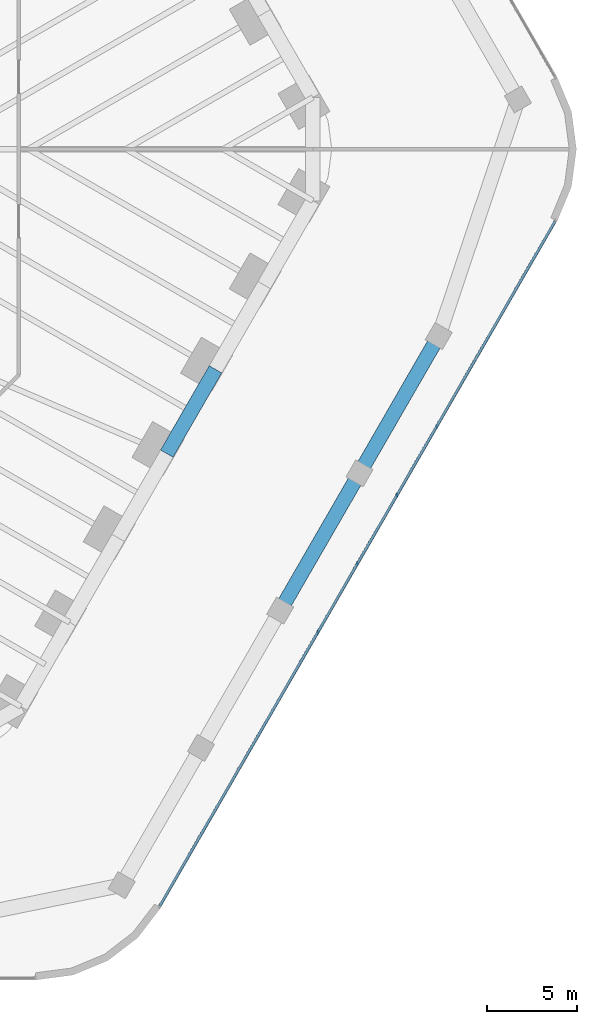
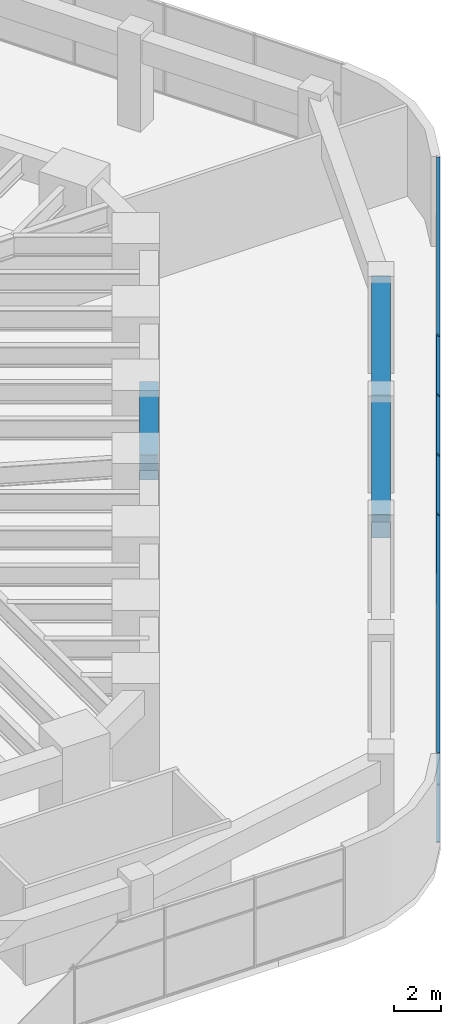
# One storey, part 12 of 31: 7 members, 3 beams, 1 element without a shape of its own.
"""IFC4 building model written with IfcOpenShell, lengths in metres."""

from ifc_helpers import new_model, si_unit, direction, frame, origin, origin_2d, place, context, subcontext, project, spatial, rectangle, extrude, material, material_profile, profile_set, type_object, element, aggregate, save


model = new_model("IFC4")

# Units and contexts
model_context = context("Model", 3, precision=1e-05, world=origin(), true_north=direction((0.0, 1.0)))
body_context = subcontext(model_context, "Body", "Model", "MODEL_VIEW")
ifc_project = project(units=[si_unit("LENGTHUNIT", "METRE"), si_unit("AREAUNIT", "SQUARE_METRE"), si_unit("VOLUMEUNIT", "CUBIC_METRE"), si_unit("PLANEANGLEUNIT", "RADIAN"), si_unit("MASSUNIT", "GRAM", prefix="KILO")], contexts=[model_context])

# Site, building, storey
site_placement = place(None, origin())
site = spatial("IfcSite", under=ifc_project, at=site_placement, CompositionType="ELEMENT")
building_placement = place(site_placement, origin())
building = spatial("IfcBuilding", under=site, at=building_placement, Name="Tarfa Lantern Tower", CompositionType="ELEMENT")
storey_placement = place(building_placement, frame((0.0, 0.0, 18.5)))
storey = spatial("IfcBuildingStorey", under=building, at=storey_placement, Name="L03", CompositionType="ELEMENT", Elevation=18.5)

# Curtain wall, members
ifc_material_1 = material(Name="Aluminium framed curtain wall", Category="aluminium")
curtain_wall_type = type_object("IfcCurtainWallType", Name="CW7 PODIUM GLAZING 4650", PredefinedType="USERDEFINED", material=ifc_material_1)
curtain_wall_placement = place(storey_placement, origin())
curtain_wall = element("IfcCurtainWall", 1, at=curtain_wall_placement, inside=storey, type_object=curtain_wall_type, Name="CW7 SE L03", ObjectType="CURTAIN WALL", PredefinedType="USERDEFINED")
ifc_material_2 = material(Name="Aluminium mullion", Category="aluminium")
ifc_material_profile_1 = material_profile(ifc_material_2, rectangle(XDim=0.06494140625, YDim=0.199951171875, at=origin_2d()), Name="AL MULLION 65x200")
ifc_profile_set_1 = profile_set([ifc_material_profile_1], Name="Aluminium mullion")
member_type_1 = type_object("IfcMemberType", Name="CWM1 MULLION 65x200", PredefinedType="MULLION", material=ifc_profile_set_1)
member_1_placement = place(storey_placement, frame((37.556640625, -26.75, 0.0), z_axis=(0.0, 0.0, 1.0), x_axis=(1.0, 0.0, 0.0)))
member_1 = element("IfcMember", 2, at=member_1_placement, type_object=member_type_1, Name="CW7 mullion 5", PredefinedType="MULLION", context=body_context, shape_type="SweptSolid", body=[
    extrude(rectangle(XDim=0.06494140625, YDim=0.199951171875, at=origin_2d()), origin(), (0.0, 0.0, 1.0), 4.64990234375),
])
member_2_placement = place(storey_placement, frame((39.75048828125, -22.949951171875, 0.0), z_axis=(0.0, 0.0, 1.0), x_axis=(1.0, 0.0, 0.0)))
member_2 = element("IfcMember", 3, at=member_2_placement, type_object=member_type_1, Name="CW7 mullion 6", PredefinedType="MULLION", context=body_context, shape_type="SweptSolid", body=[
    extrude(rectangle(XDim=0.06494140625, YDim=0.199951171875, at=origin_2d()), origin(), (0.0, 0.0, 1.0), 4.64990234375),
])
member_3_placement = place(storey_placement, frame((41.944580078125, -19.14990234375, 0.0), z_axis=(0.0, 0.0, 1.0), x_axis=(1.0, 0.0, 0.0)))
member_3 = element("IfcMember", 4, at=member_3_placement, type_object=member_type_1, Name="CW7 mullion 7", PredefinedType="MULLION", context=body_context, shape_type="SweptSolid", body=[
    extrude(rectangle(XDim=0.06494140625, YDim=0.199951171875, at=origin_2d()), origin(), (0.0, 0.0, 1.0), 4.64990234375),
])
member_4_placement = place(storey_placement, frame((44.138427734375, -15.35009765625, 0.0), z_axis=(0.0, 0.0, 1.0), x_axis=(1.0, 0.0, 0.0)))
member_4 = element("IfcMember", 5, at=member_4_placement, type_object=member_type_1, Name="CW7 mullion 8", PredefinedType="MULLION", context=body_context, shape_type="SweptSolid", body=[
    extrude(rectangle(XDim=0.06494140625, YDim=0.199951171875, at=origin_2d()), origin(), (0.0, 0.0, 1.0), 4.64990234375),
])
ifc_material_3 = material(Name="Aluminium transom", Category="aluminium")
ifc_material_profile_2 = material_profile(ifc_material_3, rectangle(XDim=0.14990234375, YDim=0.06494140625, at=origin_2d()), Name="AL TRANSOM 150x65")
ifc_profile_set_2 = profile_set([ifc_material_profile_2], Name="Aluminium transom")
member_type_2 = type_object("IfcMemberType", Name="CWT1 TRANSOM 150x65", PredefinedType="USERDEFINED", material=ifc_profile_set_2)
member_5_placement = place(storey_placement, frame((28.8134765625, -41.893798828125, 0.032470703125), z_axis=(0.499998927597, 0.866026022936, 0.0), x_axis=(-0.866026022936, 0.499998927597, 0.0)))
member_5 = element("IfcMember", 6, at=member_5_placement, type_object=member_type_2, Name="CW7 transom 1.1", ObjectType="TRANSOM", PredefinedType="USERDEFINED", context=body_context, shape_type="SweptSolid", body=[
    extrude(rectangle(XDim=0.14990234375, YDim=0.06494140625, at=origin_2d()), origin(), (0.0, 0.0, 1.0), 43.74853515625),
])
member_6_placement = place(storey_placement, frame((28.8134765625, -41.893798828125, 3.0), z_axis=(0.499998927597, 0.866026022936, 0.0), x_axis=(-0.866026022936, 0.499998927597, 0.0)))
member_6 = element("IfcMember", 7, at=member_6_placement, type_object=member_type_2, Name="CW7 transom 1.2", ObjectType="TRANSOM", PredefinedType="USERDEFINED", context=body_context, shape_type="SweptSolid", body=[
    extrude(rectangle(XDim=0.14990234375, YDim=0.06494140625, at=origin_2d()), origin(), (0.0, 0.0, 1.0), 43.74853515625),
])
member_7_placement = place(storey_placement, frame((28.8134765625, -41.893798828125, 4.617431640625), z_axis=(0.499998927597, 0.866026022936, 0.0), x_axis=(-0.866026022936, 0.499998927597, 0.0)))
member_7 = element("IfcMember", 8, at=member_7_placement, type_object=member_type_2, Name="CW7 transom 1.3", ObjectType="TRANSOM", PredefinedType="USERDEFINED", context=body_context, shape_type="SweptSolid", body=[
    extrude(rectangle(XDim=0.14990234375, YDim=0.06494140625, at=origin_2d()), origin(), (0.0, 0.0, 1.0), 43.74853515625),
])
aggregate(curtain_wall, [member_1, member_2, member_3, member_4, member_5, member_6, member_7])

# Beams
ifc_material_4 = material(Name="Concrete C80/95", Category="concrete")
ifc_material_profile_3 = material_profile(ifc_material_4, rectangle(XDim=0.800048828125, YDim=1.300048828125, at=origin_2d()), Name="RC 800x1300")
ifc_profile_set_3 = profile_set([ifc_material_profile_3], Name="Concrete C80/95")
beam_type_1 = type_object("IfcBeamType", Name="EB1 RC 800x1300", PredefinedType="SPANDREL", material=ifc_profile_set_3)
beam_placement = place(storey_placement, frame((29.202392578125, -16.860107421875, 4.0), z_axis=(0.499998287579, 0.866026392449, 0.0), x_axis=(-0.866026392449, 0.499998287579, 0.0)))
element("IfcBeam", 9, at=beam_placement, inside=storey, type_object=beam_type_1, Name="Edge beam SE3", PredefinedType="SPANDREL", context=body_context, shape_type="SweptSolid", body=[
    extrude(rectangle(XDim=0.800048828125, YDim=1.300048828125, at=origin_2d()), origin(), (0.0, 0.0, 1.0), 5.388671875),
])
ifc_material_profile_4 = material_profile(ifc_material_4, rectangle(XDim=0.800048828125, YDim=1.199951171875, at=origin_2d()), Name="RC 800x1200")
ifc_profile_set_4 = profile_set([ifc_material_profile_4], Name="Concrete C80/95")
beam_type_2 = type_object("IfcBeamType", Name="PB2 RC 800x1200", PredefinedType="BEAM", material=ifc_profile_set_4)
for number, where, z_axis, x_axis, name in (
    (10, (35.478271484375, -25.550048828125, 4.050048828125), (0.499980931779, 0.866036412547, 0.0), (-0.866036412547, 0.499980931779, 0.0), "Podium ring beam SE2"),
    (11, (39.865966796875, -17.949951171875, 4.050048828125), (0.500013843384, 0.866017411155, 0.0), (-0.866017411155, 0.500013843384, 0.0), "Podium ring beam SE3"),
):
    element("IfcBeam", number, at=place(storey_placement, frame(where, z_axis=z_axis, x_axis=x_axis)), inside=storey, type_object=beam_type_2, Name=name, PredefinedType="BEAM", context=body_context, shape_type="SweptSolid", body=[
        extrude(rectangle(XDim=0.800048828125, YDim=1.199951171875, at=origin_2d()), origin(), (0.0, 0.0, 1.0), 8.775634765625),
    ])

save(model, "model.ifc")
